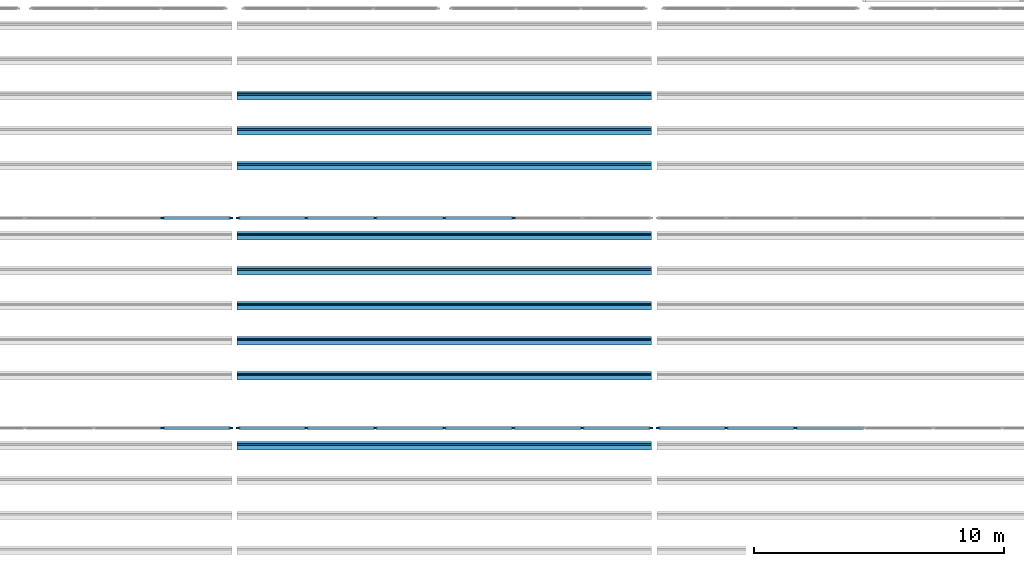
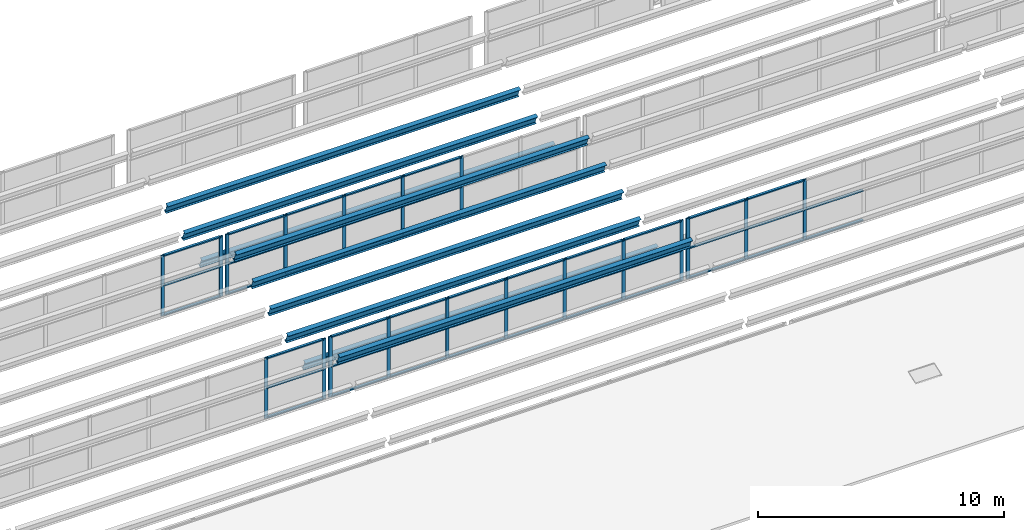
# One storey, part 21 of 116: 72 members, 5 elements without a shape of their own.
"""IFC4 building model written with IfcOpenShell, lengths in metres."""

from ifc_helpers import new_model, si_unit, direction, frame, origin, origin_2d, place, context, subcontext, project, spatial, rectangle, i_section, extrude, material, material_profile, profile_set, type_object, element, aggregate, save


model = new_model("IFC4")

# Units and contexts
model_context = context("Model", 3, precision=1e-05, world=origin(), true_north=direction((0.0, 1.0)))
body_context = subcontext(model_context, "Body", "Model", "MODEL_VIEW")
ifc_project = project(units=[si_unit("LENGTHUNIT", "METRE"), si_unit("AREAUNIT", "SQUARE_METRE"), si_unit("VOLUMEUNIT", "CUBIC_METRE"), si_unit("PLANEANGLEUNIT", "RADIAN"), si_unit("MASSUNIT", "GRAM", prefix="KILO")], contexts=[model_context])

# Site, building, storey
site_placement = place(None, origin())
site = spatial("IfcSite", under=ifc_project, at=site_placement, CompositionType="ELEMENT")
building_placement = place(site_placement, origin())
building = spatial("IfcBuilding", under=site, at=building_placement, Name="Fescue Hill Polytechnic", CompositionType="ELEMENT")
storey_placement = place(building_placement, frame((0.0, 0.0, 13.5)))
storey = spatial("IfcBuildingStorey", under=building, at=storey_placement, Name="L03", CompositionType="ELEMENT", Elevation=13.5)

# Curtain wall, members
ifc_material_1 = material(Name="Aluminium and glass", Category="aluminium")
curtain_wall_type = type_object("IfcCurtainWallType", Name="Sawtooth north glazing curtain wall", PredefinedType="NOTDEFINED", material=ifc_material_1)
curtain_wall_1_placement = place(storey_placement, origin())
curtain_wall_1 = element("IfcCurtainWall", 1, at=curtain_wall_1_placement, inside=storey, type_object=curtain_wall_type, Name="Sawtooth 2 north glazing bay 4", PredefinedType="NOTDEFINED")
ifc_material_2 = material(Name="Aluminium", Category="aluminium")
ifc_material_profile_1 = material_profile(ifc_material_2, rectangle(XDim=0.06005859375, YDim=0.159912109375, at=origin_2d()), Name="Curtain wall mullion 60x160")
ifc_profile_set_1 = profile_set([ifc_material_profile_1], Name="Aluminium")
member_type_1 = type_object("IfcMemberType", Name="Curtain wall mullion 60x160", PredefinedType="MULLION", material=ifc_profile_set_1)
member_1_placement = place(storey_placement, frame((64.320068359375, 33.60009765625, 0.0), z_axis=(0.0, 0.0, 1.0), x_axis=(0.0, 1.0, 0.0)))
member_1 = element("IfcMember", 2, at=member_1_placement, type_object=member_type_1, Name="CW11 mullion 6", PredefinedType="MULLION", context=body_context, shape_type="SweptSolid", body=[
    extrude(rectangle(XDim=0.06005859375, YDim=0.159912109375, at=origin_2d()), origin(), (0.0, 0.0, 1.0), 3.0),
])
member_2_placement = place(storey_placement, frame((67.050048828125, 33.60009765625, 0.0), z_axis=(0.0, 0.0, 1.0), x_axis=(0.0, 1.0, 0.0)))
member_2 = element("IfcMember", 3, at=member_2_placement, type_object=member_type_1, Name="CW11 mullion 7", PredefinedType="MULLION", context=body_context, shape_type="SweptSolid", body=[
    extrude(rectangle(XDim=0.06005859375, YDim=0.159912109375, at=origin_2d()), origin(), (0.0, 0.0, 1.0), 3.0),
])

curtain_wall_2_placement = place(storey_placement, origin())
curtain_wall_2 = element("IfcCurtainWall", 4, at=curtain_wall_2_placement, inside=storey, type_object=curtain_wall_type, Name="Sawtooth 2 north glazing bay 5", PredefinedType="NOTDEFINED")
member_3_placement = place(storey_placement, frame((67.35009765625, 33.60009765625, 0.0), z_axis=(0.0, 0.0, 1.0), x_axis=(0.0, 1.0, 0.0)))
member_3 = element("IfcMember", 5, at=member_3_placement, type_object=member_type_1, Name="CW12 mullion 1", PredefinedType="MULLION", context=body_context, shape_type="SweptSolid", body=[
    extrude(rectangle(XDim=0.06005859375, YDim=0.159912109375, at=origin_2d()), origin(), (0.0, 0.0, 1.0), 3.0),
])
member_4_placement = place(storey_placement, frame((70.080078125, 33.60009765625, 0.0), z_axis=(0.0, 0.0, 1.0), x_axis=(0.0, 1.0, 0.0)))
member_4 = element("IfcMember", 6, at=member_4_placement, type_object=member_type_1, Name="CW12 mullion 2", PredefinedType="MULLION", context=body_context, shape_type="SweptSolid", body=[
    extrude(rectangle(XDim=0.06005859375, YDim=0.159912109375, at=origin_2d()), origin(), (0.0, 0.0, 1.0), 3.0),
])
member_5_placement = place(storey_placement, frame((72.840087890625, 33.60009765625, 0.0), z_axis=(0.0, 0.0, 1.0), x_axis=(0.0, 1.0, 0.0)))
member_5 = element("IfcMember", 7, at=member_5_placement, type_object=member_type_1, Name="CW12 mullion 3", PredefinedType="MULLION", context=body_context, shape_type="SweptSolid", body=[
    extrude(rectangle(XDim=0.06005859375, YDim=0.159912109375, at=origin_2d()), origin(), (0.0, 0.0, 1.0), 3.0),
])
member_6_placement = place(storey_placement, frame((75.60009765625, 33.60009765625, 0.0), z_axis=(0.0, 0.0, 1.0), x_axis=(0.0, 1.0, 0.0)))
member_6 = element("IfcMember", 8, at=member_6_placement, type_object=member_type_1, Name="CW12 mullion 4", PredefinedType="MULLION", context=body_context, shape_type="SweptSolid", body=[
    extrude(rectangle(XDim=0.06005859375, YDim=0.159912109375, at=origin_2d()), origin(), (0.0, 0.0, 1.0), 3.0),
])
member_7_placement = place(storey_placement, frame((78.360107421875, 33.60009765625, 0.0), z_axis=(0.0, 0.0, 1.0), x_axis=(0.0, 1.0, 0.0)))
member_7 = element("IfcMember", 9, at=member_7_placement, type_object=member_type_1, Name="CW12 mullion 5", PredefinedType="MULLION", context=body_context, shape_type="SweptSolid", body=[
    extrude(rectangle(XDim=0.06005859375, YDim=0.159912109375, at=origin_2d()), origin(), (0.0, 0.0, 1.0), 3.0),
])
member_8_placement = place(storey_placement, frame((81.1201171875, 33.60009765625, 0.0), z_axis=(0.0, 0.0, 1.0), x_axis=(0.0, 1.0, 0.0)))
member_8 = element("IfcMember", 10, at=member_8_placement, type_object=member_type_1, Name="CW12 mullion 6", PredefinedType="MULLION", context=body_context, shape_type="SweptSolid", body=[
    extrude(rectangle(XDim=0.06005859375, YDim=0.159912109375, at=origin_2d()), origin(), (0.0, 0.0, 1.0), 3.0),
])
member_9_placement = place(storey_placement, frame((83.85009765625, 33.60009765625, 0.0), z_axis=(0.0, 0.0, 1.0), x_axis=(0.0, 1.0, 0.0)))
member_9 = element("IfcMember", 11, at=member_9_placement, type_object=member_type_1, Name="CW12 mullion 7", PredefinedType="MULLION", context=body_context, shape_type="SweptSolid", body=[
    extrude(rectangle(XDim=0.06005859375, YDim=0.159912109375, at=origin_2d()), origin(), (0.0, 0.0, 1.0), 3.0),
])

curtain_wall_3_placement = place(storey_placement, origin())
curtain_wall_3 = element("IfcCurtainWall", 12, at=curtain_wall_3_placement, inside=storey, type_object=curtain_wall_type, Name="Sawtooth 2 north glazing bay 6", PredefinedType="NOTDEFINED")
member_10_placement = place(storey_placement, frame((84.14990234375, 33.60009765625, 0.0), z_axis=(0.0, 0.0, 1.0), x_axis=(0.0, 1.0, 0.0)))
member_10 = element("IfcMember", 13, at=member_10_placement, type_object=member_type_1, Name="CW13 mullion 1", PredefinedType="MULLION", context=body_context, shape_type="SweptSolid", body=[
    extrude(rectangle(XDim=0.06005859375, YDim=0.159912109375, at=origin_2d()), origin(), (0.0, 0.0, 1.0), 3.0),
])
member_11_placement = place(storey_placement, frame((86.8798828125, 33.60009765625, 0.0), z_axis=(0.0, 0.0, 1.0), x_axis=(0.0, 1.0, 0.0)))
member_11 = element("IfcMember", 14, at=member_11_placement, type_object=member_type_1, Name="CW13 mullion 2", PredefinedType="MULLION", context=body_context, shape_type="SweptSolid", body=[
    extrude(rectangle(XDim=0.06005859375, YDim=0.159912109375, at=origin_2d()), origin(), (0.0, 0.0, 1.0), 3.0),
])
member_12_placement = place(storey_placement, frame((89.639892578125, 33.60009765625, 0.0), z_axis=(0.0, 0.0, 1.0), x_axis=(0.0, 1.0, 0.0)))
member_12 = element("IfcMember", 15, at=member_12_placement, type_object=member_type_1, Name="CW13 mullion 3", PredefinedType="MULLION", context=body_context, shape_type="SweptSolid", body=[
    extrude(rectangle(XDim=0.06005859375, YDim=0.159912109375, at=origin_2d()), origin(), (0.0, 0.0, 1.0), 3.0),
])

curtain_wall_4_placement = place(storey_placement, origin())
curtain_wall_4 = element("IfcCurtainWall", 16, at=curtain_wall_4_placement, inside=storey, type_object=curtain_wall_type, Name="Sawtooth 3 north glazing bay 4", PredefinedType="NOTDEFINED")
member_13_placement = place(storey_placement, frame((64.320068359375, 42.0, 0.0), z_axis=(0.0, 0.0, 1.0), x_axis=(0.0, 1.0, 0.0)))
member_13 = element("IfcMember", 17, at=member_13_placement, type_object=member_type_1, Name="CW18 mullion 6", PredefinedType="MULLION", context=body_context, shape_type="SweptSolid", body=[
    extrude(rectangle(XDim=0.06005859375, YDim=0.159912109375, at=origin_2d()), origin(), (0.0, 0.0, 1.0), 3.0),
])
member_14_placement = place(storey_placement, frame((67.050048828125, 42.0, 0.0), z_axis=(0.0, 0.0, 1.0), x_axis=(0.0, 1.0, 0.0)))
member_14 = element("IfcMember", 18, at=member_14_placement, type_object=member_type_1, Name="CW18 mullion 7", PredefinedType="MULLION", context=body_context, shape_type="SweptSolid", body=[
    extrude(rectangle(XDim=0.06005859375, YDim=0.159912109375, at=origin_2d()), origin(), (0.0, 0.0, 1.0), 3.0),
])

curtain_wall_5_placement = place(storey_placement, origin())
curtain_wall_5 = element("IfcCurtainWall", 19, at=curtain_wall_5_placement, inside=storey, type_object=curtain_wall_type, Name="Sawtooth 3 north glazing bay 5", PredefinedType="NOTDEFINED")
member_15_placement = place(storey_placement, frame((67.35009765625, 42.0, 0.0), z_axis=(0.0, 0.0, 1.0), x_axis=(0.0, 1.0, 0.0)))
member_15 = element("IfcMember", 20, at=member_15_placement, type_object=member_type_1, Name="CW19 mullion 1", PredefinedType="MULLION", context=body_context, shape_type="SweptSolid", body=[
    extrude(rectangle(XDim=0.06005859375, YDim=0.159912109375, at=origin_2d()), origin(), (0.0, 0.0, 1.0), 3.0),
])
member_16_placement = place(storey_placement, frame((70.080078125, 42.0, 0.0), z_axis=(0.0, 0.0, 1.0), x_axis=(0.0, 1.0, 0.0)))
member_16 = element("IfcMember", 21, at=member_16_placement, type_object=member_type_1, Name="CW19 mullion 2", PredefinedType="MULLION", context=body_context, shape_type="SweptSolid", body=[
    extrude(rectangle(XDim=0.06005859375, YDim=0.159912109375, at=origin_2d()), origin(), (0.0, 0.0, 1.0), 3.0),
])
member_17_placement = place(storey_placement, frame((72.840087890625, 42.0, 0.0), z_axis=(0.0, 0.0, 1.0), x_axis=(0.0, 1.0, 0.0)))
member_17 = element("IfcMember", 22, at=member_17_placement, type_object=member_type_1, Name="CW19 mullion 3", PredefinedType="MULLION", context=body_context, shape_type="SweptSolid", body=[
    extrude(rectangle(XDim=0.06005859375, YDim=0.159912109375, at=origin_2d()), origin(), (0.0, 0.0, 1.0), 3.0),
])
member_18_placement = place(storey_placement, frame((75.60009765625, 42.0, 0.0), z_axis=(0.0, 0.0, 1.0), x_axis=(0.0, 1.0, 0.0)))
member_18 = element("IfcMember", 23, at=member_18_placement, type_object=member_type_1, Name="CW19 mullion 4", PredefinedType="MULLION", context=body_context, shape_type="SweptSolid", body=[
    extrude(rectangle(XDim=0.06005859375, YDim=0.159912109375, at=origin_2d()), origin(), (0.0, 0.0, 1.0), 3.0),
])
member_19_placement = place(storey_placement, frame((78.360107421875, 42.0, 0.0), z_axis=(0.0, 0.0, 1.0), x_axis=(0.0, 1.0, 0.0)))
member_19 = element("IfcMember", 24, at=member_19_placement, type_object=member_type_1, Name="CW19 mullion 5", PredefinedType="MULLION", context=body_context, shape_type="SweptSolid", body=[
    extrude(rectangle(XDim=0.06005859375, YDim=0.159912109375, at=origin_2d()), origin(), (0.0, 0.0, 1.0), 3.0),
])

# Member
ifc_material_profile_2 = material_profile(ifc_material_2, rectangle(XDim=0.1201171875, YDim=0.06005859375, at=origin_2d()), Name="Curtain wall transom 60x120")
ifc_profile_set_2 = profile_set([ifc_material_profile_2], Name="Aluminium")
member_type_2 = type_object("IfcMemberType", Name="Curtain wall transom 60x120", PredefinedType="USERDEFINED", material=ifc_profile_set_2)
member_20_placement = place(storey_placement, frame((64.35009765625, 33.60009765625, 0.030029296875), z_axis=(1.0, 0.0, 0.0), x_axis=(0.0, 1.0, 0.0)))
member_20 = element("IfcMember", 25, at=member_20_placement, type_object=member_type_2, Name="CW11 transom 6.1", ObjectType="TRANSOM", PredefinedType="USERDEFINED", context=body_context, shape_type="SweptSolid", body=[
    extrude(rectangle(XDim=0.1201171875, YDim=0.06005859375, at=origin_2d()), origin(), (0.0, 0.0, 1.0), 2.669921875),
])

member_21_placement = place(storey_placement, frame((64.35009765625, 33.60009765625, 1.5), z_axis=(1.0, 0.0, 0.0), x_axis=(0.0, 1.0, 0.0)))
member_21 = element("IfcMember", 26, at=member_21_placement, type_object=member_type_2, Name="CW11 transom 6.2", ObjectType="TRANSOM", PredefinedType="USERDEFINED", context=body_context, shape_type="SweptSolid", body=[
    extrude(rectangle(XDim=0.1201171875, YDim=0.06005859375, at=origin_2d()), origin(), (0.0, 0.0, 1.0), 2.669921875),
])

member_22_placement = place(storey_placement, frame((64.35009765625, 33.60009765625, 2.969970703125), z_axis=(1.0, 0.0, 0.0), x_axis=(0.0, 1.0, 0.0)))
member_22 = element("IfcMember", 27, at=member_22_placement, type_object=member_type_2, Name="CW11 transom 6.3", ObjectType="TRANSOM", PredefinedType="USERDEFINED", context=body_context, shape_type="SweptSolid", body=[
    extrude(rectangle(XDim=0.1201171875, YDim=0.06005859375, at=origin_2d()), origin(), (0.0, 0.0, 1.0), 2.669921875),
])

aggregate(curtain_wall_1, [member_1, member_2, member_20, member_21, member_22])

member_23_placement = place(storey_placement, frame((67.3798828125, 33.60009765625, 0.030029296875), z_axis=(1.0, 0.0, 0.0), x_axis=(0.0, 1.0, 0.0)))
member_23 = element("IfcMember", 28, at=member_23_placement, type_object=member_type_2, Name="CW12 transom 1.1", ObjectType="TRANSOM", PredefinedType="USERDEFINED", context=body_context, shape_type="SweptSolid", body=[
    extrude(rectangle(XDim=0.1201171875, YDim=0.06005859375, at=origin_2d()), origin(), (0.0, 0.0, 1.0), 2.670166015625),
])

member_24_placement = place(storey_placement, frame((67.3798828125, 33.60009765625, 1.5), z_axis=(1.0, 0.0, 0.0), x_axis=(0.0, 1.0, 0.0)))
member_24 = element("IfcMember", 29, at=member_24_placement, type_object=member_type_2, Name="CW12 transom 1.2", ObjectType="TRANSOM", PredefinedType="USERDEFINED", context=body_context, shape_type="SweptSolid", body=[
    extrude(rectangle(XDim=0.1201171875, YDim=0.06005859375, at=origin_2d()), origin(), (0.0, 0.0, 1.0), 2.670166015625),
])

member_25_placement = place(storey_placement, frame((67.3798828125, 33.60009765625, 2.969970703125), z_axis=(1.0, 0.0, 0.0), x_axis=(0.0, 1.0, 0.0)))
member_25 = element("IfcMember", 30, at=member_25_placement, type_object=member_type_2, Name="CW12 transom 1.3", ObjectType="TRANSOM", PredefinedType="USERDEFINED", context=body_context, shape_type="SweptSolid", body=[
    extrude(rectangle(XDim=0.1201171875, YDim=0.06005859375, at=origin_2d()), origin(), (0.0, 0.0, 1.0), 2.670166015625),
])

member_26_placement = place(storey_placement, frame((70.110107421875, 33.60009765625, 0.030029296875), z_axis=(1.0, 0.0, 0.0), x_axis=(0.0, 1.0, 0.0)))
member_26 = element("IfcMember", 31, at=member_26_placement, type_object=member_type_2, Name="CW12 transom 2.1", ObjectType="TRANSOM", PredefinedType="USERDEFINED", context=body_context, shape_type="SweptSolid", body=[
    extrude(rectangle(XDim=0.1201171875, YDim=0.06005859375, at=origin_2d()), origin(), (0.0, 0.0, 1.0), 2.699951171875),
])

member_27_placement = place(storey_placement, frame((70.110107421875, 33.60009765625, 1.5), z_axis=(1.0, 0.0, 0.0), x_axis=(0.0, 1.0, 0.0)))
member_27 = element("IfcMember", 32, at=member_27_placement, type_object=member_type_2, Name="CW12 transom 2.2", ObjectType="TRANSOM", PredefinedType="USERDEFINED", context=body_context, shape_type="SweptSolid", body=[
    extrude(rectangle(XDim=0.1201171875, YDim=0.06005859375, at=origin_2d()), origin(), (0.0, 0.0, 1.0), 2.699951171875),
])

member_28_placement = place(storey_placement, frame((70.110107421875, 33.60009765625, 2.969970703125), z_axis=(1.0, 0.0, 0.0), x_axis=(0.0, 1.0, 0.0)))
member_28 = element("IfcMember", 33, at=member_28_placement, type_object=member_type_2, Name="CW12 transom 2.3", ObjectType="TRANSOM", PredefinedType="USERDEFINED", context=body_context, shape_type="SweptSolid", body=[
    extrude(rectangle(XDim=0.1201171875, YDim=0.06005859375, at=origin_2d()), origin(), (0.0, 0.0, 1.0), 2.699951171875),
])

member_29_placement = place(storey_placement, frame((72.8701171875, 33.60009765625, 0.030029296875), z_axis=(1.0, 0.0, 0.0), x_axis=(0.0, 1.0, 0.0)))
member_29 = element("IfcMember", 34, at=member_29_placement, type_object=member_type_2, Name="CW12 transom 3.1", ObjectType="TRANSOM", PredefinedType="USERDEFINED", context=body_context, shape_type="SweptSolid", body=[
    extrude(rectangle(XDim=0.1201171875, YDim=0.06005859375, at=origin_2d()), origin(), (0.0, 0.0, 1.0), 2.699951171875),
])

member_30_placement = place(storey_placement, frame((72.8701171875, 33.60009765625, 1.5), z_axis=(1.0, 0.0, 0.0), x_axis=(0.0, 1.0, 0.0)))
member_30 = element("IfcMember", 35, at=member_30_placement, type_object=member_type_2, Name="CW12 transom 3.2", ObjectType="TRANSOM", PredefinedType="USERDEFINED", context=body_context, shape_type="SweptSolid", body=[
    extrude(rectangle(XDim=0.1201171875, YDim=0.06005859375, at=origin_2d()), origin(), (0.0, 0.0, 1.0), 2.699951171875),
])

member_31_placement = place(storey_placement, frame((72.8701171875, 33.60009765625, 2.969970703125), z_axis=(1.0, 0.0, 0.0), x_axis=(0.0, 1.0, 0.0)))
member_31 = element("IfcMember", 36, at=member_31_placement, type_object=member_type_2, Name="CW12 transom 3.3", ObjectType="TRANSOM", PredefinedType="USERDEFINED", context=body_context, shape_type="SweptSolid", body=[
    extrude(rectangle(XDim=0.1201171875, YDim=0.06005859375, at=origin_2d()), origin(), (0.0, 0.0, 1.0), 2.699951171875),
])

member_32_placement = place(storey_placement, frame((75.6298828125, 33.60009765625, 0.030029296875), z_axis=(1.0, 0.0, 0.0), x_axis=(0.0, 1.0, 0.0)))
member_32 = element("IfcMember", 37, at=member_32_placement, type_object=member_type_2, Name="CW12 transom 4.1", ObjectType="TRANSOM", PredefinedType="USERDEFINED", context=body_context, shape_type="SweptSolid", body=[
    extrude(rectangle(XDim=0.1201171875, YDim=0.06005859375, at=origin_2d()), origin(), (0.0, 0.0, 1.0), 2.7001953125),
])

member_33_placement = place(storey_placement, frame((75.6298828125, 33.60009765625, 1.5), z_axis=(1.0, 0.0, 0.0), x_axis=(0.0, 1.0, 0.0)))
member_33 = element("IfcMember", 38, at=member_33_placement, type_object=member_type_2, Name="CW12 transom 4.2", ObjectType="TRANSOM", PredefinedType="USERDEFINED", context=body_context, shape_type="SweptSolid", body=[
    extrude(rectangle(XDim=0.1201171875, YDim=0.06005859375, at=origin_2d()), origin(), (0.0, 0.0, 1.0), 2.7001953125),
])

member_34_placement = place(storey_placement, frame((75.6298828125, 33.60009765625, 2.969970703125), z_axis=(1.0, 0.0, 0.0), x_axis=(0.0, 1.0, 0.0)))
member_34 = element("IfcMember", 39, at=member_34_placement, type_object=member_type_2, Name="CW12 transom 4.3", ObjectType="TRANSOM", PredefinedType="USERDEFINED", context=body_context, shape_type="SweptSolid", body=[
    extrude(rectangle(XDim=0.1201171875, YDim=0.06005859375, at=origin_2d()), origin(), (0.0, 0.0, 1.0), 2.7001953125),
])

member_35_placement = place(storey_placement, frame((78.389892578125, 33.60009765625, 0.030029296875), z_axis=(1.0, 0.0, 0.0), x_axis=(0.0, 1.0, 0.0)))
member_35 = element("IfcMember", 40, at=member_35_placement, type_object=member_type_2, Name="CW12 transom 5.1", ObjectType="TRANSOM", PredefinedType="USERDEFINED", context=body_context, shape_type="SweptSolid", body=[
    extrude(rectangle(XDim=0.1201171875, YDim=0.06005859375, at=origin_2d()), origin(), (0.0, 0.0, 1.0), 2.7001953125),
])

member_36_placement = place(storey_placement, frame((78.389892578125, 33.60009765625, 1.5), z_axis=(1.0, 0.0, 0.0), x_axis=(0.0, 1.0, 0.0)))
member_36 = element("IfcMember", 41, at=member_36_placement, type_object=member_type_2, Name="CW12 transom 5.2", ObjectType="TRANSOM", PredefinedType="USERDEFINED", context=body_context, shape_type="SweptSolid", body=[
    extrude(rectangle(XDim=0.1201171875, YDim=0.06005859375, at=origin_2d()), origin(), (0.0, 0.0, 1.0), 2.7001953125),
])

member_37_placement = place(storey_placement, frame((78.389892578125, 33.60009765625, 2.969970703125), z_axis=(1.0, 0.0, 0.0), x_axis=(0.0, 1.0, 0.0)))
member_37 = element("IfcMember", 42, at=member_37_placement, type_object=member_type_2, Name="CW12 transom 5.3", ObjectType="TRANSOM", PredefinedType="USERDEFINED", context=body_context, shape_type="SweptSolid", body=[
    extrude(rectangle(XDim=0.1201171875, YDim=0.06005859375, at=origin_2d()), origin(), (0.0, 0.0, 1.0), 2.7001953125),
])

member_38_placement = place(storey_placement, frame((81.14990234375, 33.60009765625, 0.030029296875), z_axis=(1.0, 0.0, 0.0), x_axis=(0.0, 1.0, 0.0)))
member_38 = element("IfcMember", 43, at=member_38_placement, type_object=member_type_2, Name="CW12 transom 6.1", ObjectType="TRANSOM", PredefinedType="USERDEFINED", context=body_context, shape_type="SweptSolid", body=[
    extrude(rectangle(XDim=0.1201171875, YDim=0.06005859375, at=origin_2d()), origin(), (0.0, 0.0, 1.0), 2.670166015625),
])

member_39_placement = place(storey_placement, frame((81.14990234375, 33.60009765625, 1.5), z_axis=(1.0, 0.0, 0.0), x_axis=(0.0, 1.0, 0.0)))
member_39 = element("IfcMember", 44, at=member_39_placement, type_object=member_type_2, Name="CW12 transom 6.2", ObjectType="TRANSOM", PredefinedType="USERDEFINED", context=body_context, shape_type="SweptSolid", body=[
    extrude(rectangle(XDim=0.1201171875, YDim=0.06005859375, at=origin_2d()), origin(), (0.0, 0.0, 1.0), 2.670166015625),
])

member_40_placement = place(storey_placement, frame((81.14990234375, 33.60009765625, 2.969970703125), z_axis=(1.0, 0.0, 0.0), x_axis=(0.0, 1.0, 0.0)))
member_40 = element("IfcMember", 45, at=member_40_placement, type_object=member_type_2, Name="CW12 transom 6.3", ObjectType="TRANSOM", PredefinedType="USERDEFINED", context=body_context, shape_type="SweptSolid", body=[
    extrude(rectangle(XDim=0.1201171875, YDim=0.06005859375, at=origin_2d()), origin(), (0.0, 0.0, 1.0), 2.670166015625),
])

aggregate(curtain_wall_2, [member_3, member_4, member_5, member_6, member_7, member_8, member_9, member_23, member_24, member_25, member_26, member_27, member_28, member_29, member_30, member_31, member_32, member_33, member_34, member_35, member_36, member_37, member_38, member_39, member_40])

member_41_placement = place(storey_placement, frame((84.179931640625, 33.60009765625, 0.030029296875), z_axis=(1.0, 0.0, 0.0), x_axis=(0.0, 1.0, 0.0)))
member_41 = element("IfcMember", 46, at=member_41_placement, type_object=member_type_2, Name="CW13 transom 1.1", ObjectType="TRANSOM", PredefinedType="USERDEFINED", context=body_context, shape_type="SweptSolid", body=[
    extrude(rectangle(XDim=0.1201171875, YDim=0.06005859375, at=origin_2d()), origin(), (0.0, 0.0, 1.0), 2.670166015625),
])

member_42_placement = place(storey_placement, frame((84.179931640625, 33.60009765625, 1.5), z_axis=(1.0, 0.0, 0.0), x_axis=(0.0, 1.0, 0.0)))
member_42 = element("IfcMember", 47, at=member_42_placement, type_object=member_type_2, Name="CW13 transom 1.2", ObjectType="TRANSOM", PredefinedType="USERDEFINED", context=body_context, shape_type="SweptSolid", body=[
    extrude(rectangle(XDim=0.1201171875, YDim=0.06005859375, at=origin_2d()), origin(), (0.0, 0.0, 1.0), 2.670166015625),
])

member_43_placement = place(storey_placement, frame((84.179931640625, 33.60009765625, 2.969970703125), z_axis=(1.0, 0.0, 0.0), x_axis=(0.0, 1.0, 0.0)))
member_43 = element("IfcMember", 48, at=member_43_placement, type_object=member_type_2, Name="CW13 transom 1.3", ObjectType="TRANSOM", PredefinedType="USERDEFINED", context=body_context, shape_type="SweptSolid", body=[
    extrude(rectangle(XDim=0.1201171875, YDim=0.06005859375, at=origin_2d()), origin(), (0.0, 0.0, 1.0), 2.670166015625),
])

member_44_placement = place(storey_placement, frame((86.909912109375, 33.60009765625, 0.030029296875), z_axis=(1.0, 0.0, 0.0), x_axis=(0.0, 1.0, 0.0)))
member_44 = element("IfcMember", 49, at=member_44_placement, type_object=member_type_2, Name="CW13 transom 2.1", ObjectType="TRANSOM", PredefinedType="USERDEFINED", context=body_context, shape_type="SweptSolid", body=[
    extrude(rectangle(XDim=0.1201171875, YDim=0.06005859375, at=origin_2d()), origin(), (0.0, 0.0, 1.0), 2.7001953125),
])

member_45_placement = place(storey_placement, frame((86.909912109375, 33.60009765625, 1.5), z_axis=(1.0, 0.0, 0.0), x_axis=(0.0, 1.0, 0.0)))
member_45 = element("IfcMember", 50, at=member_45_placement, type_object=member_type_2, Name="CW13 transom 2.2", ObjectType="TRANSOM", PredefinedType="USERDEFINED", context=body_context, shape_type="SweptSolid", body=[
    extrude(rectangle(XDim=0.1201171875, YDim=0.06005859375, at=origin_2d()), origin(), (0.0, 0.0, 1.0), 2.7001953125),
])

member_46_placement = place(storey_placement, frame((86.909912109375, 33.60009765625, 2.969970703125), z_axis=(1.0, 0.0, 0.0), x_axis=(0.0, 1.0, 0.0)))
member_46 = element("IfcMember", 51, at=member_46_placement, type_object=member_type_2, Name="CW13 transom 2.3", ObjectType="TRANSOM", PredefinedType="USERDEFINED", context=body_context, shape_type="SweptSolid", body=[
    extrude(rectangle(XDim=0.1201171875, YDim=0.06005859375, at=origin_2d()), origin(), (0.0, 0.0, 1.0), 2.7001953125),
])

member_47_placement = place(storey_placement, frame((89.669921875, 33.60009765625, 0.030029296875), z_axis=(1.0, 0.0, 0.0), x_axis=(0.0, 1.0, 0.0)))
member_47 = element("IfcMember", 52, at=member_47_placement, type_object=member_type_2, Name="CW13 transom 3.1", ObjectType="TRANSOM", PredefinedType="USERDEFINED", context=body_context, shape_type="SweptSolid", body=[
    extrude(rectangle(XDim=0.1201171875, YDim=0.06005859375, at=origin_2d()), origin(), (0.0, 0.0, 1.0), 2.7001953125),
])

member_48_placement = place(storey_placement, frame((89.669921875, 33.60009765625, 1.5), z_axis=(1.0, 0.0, 0.0), x_axis=(0.0, 1.0, 0.0)))
member_48 = element("IfcMember", 53, at=member_48_placement, type_object=member_type_2, Name="CW13 transom 3.2", ObjectType="TRANSOM", PredefinedType="USERDEFINED", context=body_context, shape_type="SweptSolid", body=[
    extrude(rectangle(XDim=0.1201171875, YDim=0.06005859375, at=origin_2d()), origin(), (0.0, 0.0, 1.0), 2.7001953125),
])

aggregate(curtain_wall_3, [member_10, member_11, member_12, member_41, member_42, member_43, member_44, member_45, member_46, member_47, member_48])

member_49_placement = place(storey_placement, frame((64.35009765625, 42.0, 0.030029296875), z_axis=(1.0, 0.0, 0.0), x_axis=(0.0, 1.0, 0.0)))
member_49 = element("IfcMember", 54, at=member_49_placement, type_object=member_type_2, Name="CW18 transom 6.1", ObjectType="TRANSOM", PredefinedType="USERDEFINED", context=body_context, shape_type="SweptSolid", body=[
    extrude(rectangle(XDim=0.1201171875, YDim=0.06005859375, at=origin_2d()), origin(), (0.0, 0.0, 1.0), 2.669921875),
])

member_50_placement = place(storey_placement, frame((64.35009765625, 42.0, 1.5), z_axis=(1.0, 0.0, 0.0), x_axis=(0.0, 1.0, 0.0)))
member_50 = element("IfcMember", 55, at=member_50_placement, type_object=member_type_2, Name="CW18 transom 6.2", ObjectType="TRANSOM", PredefinedType="USERDEFINED", context=body_context, shape_type="SweptSolid", body=[
    extrude(rectangle(XDim=0.1201171875, YDim=0.06005859375, at=origin_2d()), origin(), (0.0, 0.0, 1.0), 2.669921875),
])

member_51_placement = place(storey_placement, frame((64.35009765625, 42.0, 2.969970703125), z_axis=(1.0, 0.0, 0.0), x_axis=(0.0, 1.0, 0.0)))
member_51 = element("IfcMember", 56, at=member_51_placement, type_object=member_type_2, Name="CW18 transom 6.3", ObjectType="TRANSOM", PredefinedType="USERDEFINED", context=body_context, shape_type="SweptSolid", body=[
    extrude(rectangle(XDim=0.1201171875, YDim=0.06005859375, at=origin_2d()), origin(), (0.0, 0.0, 1.0), 2.669921875),
])

aggregate(curtain_wall_4, [member_13, member_14, member_49, member_50, member_51])

member_52_placement = place(storey_placement, frame((67.3798828125, 42.0, 0.030029296875), z_axis=(1.0, 0.0, 0.0), x_axis=(0.0, 1.0, 0.0)))
member_52 = element("IfcMember", 57, at=member_52_placement, type_object=member_type_2, Name="CW19 transom 1.1", ObjectType="TRANSOM", PredefinedType="USERDEFINED", context=body_context, shape_type="SweptSolid", body=[
    extrude(rectangle(XDim=0.1201171875, YDim=0.06005859375, at=origin_2d()), origin(), (0.0, 0.0, 1.0), 2.670166015625),
])

member_53_placement = place(storey_placement, frame((67.3798828125, 42.0, 1.5), z_axis=(1.0, 0.0, 0.0), x_axis=(0.0, 1.0, 0.0)))
member_53 = element("IfcMember", 58, at=member_53_placement, type_object=member_type_2, Name="CW19 transom 1.2", ObjectType="TRANSOM", PredefinedType="USERDEFINED", context=body_context, shape_type="SweptSolid", body=[
    extrude(rectangle(XDim=0.1201171875, YDim=0.06005859375, at=origin_2d()), origin(), (0.0, 0.0, 1.0), 2.670166015625),
])

member_54_placement = place(storey_placement, frame((67.3798828125, 42.0, 2.969970703125), z_axis=(1.0, 0.0, 0.0), x_axis=(0.0, 1.0, 0.0)))
member_54 = element("IfcMember", 59, at=member_54_placement, type_object=member_type_2, Name="CW19 transom 1.3", ObjectType="TRANSOM", PredefinedType="USERDEFINED", context=body_context, shape_type="SweptSolid", body=[
    extrude(rectangle(XDim=0.1201171875, YDim=0.06005859375, at=origin_2d()), origin(), (0.0, 0.0, 1.0), 2.670166015625),
])

member_55_placement = place(storey_placement, frame((70.110107421875, 42.0, 0.030029296875), z_axis=(1.0, 0.0, 0.0), x_axis=(0.0, 1.0, 0.0)))
member_55 = element("IfcMember", 60, at=member_55_placement, type_object=member_type_2, Name="CW19 transom 2.1", ObjectType="TRANSOM", PredefinedType="USERDEFINED", context=body_context, shape_type="SweptSolid", body=[
    extrude(rectangle(XDim=0.1201171875, YDim=0.06005859375, at=origin_2d()), origin(), (0.0, 0.0, 1.0), 2.699951171875),
])

member_56_placement = place(storey_placement, frame((70.110107421875, 42.0, 1.5), z_axis=(1.0, 0.0, 0.0), x_axis=(0.0, 1.0, 0.0)))
member_56 = element("IfcMember", 61, at=member_56_placement, type_object=member_type_2, Name="CW19 transom 2.2", ObjectType="TRANSOM", PredefinedType="USERDEFINED", context=body_context, shape_type="SweptSolid", body=[
    extrude(rectangle(XDim=0.1201171875, YDim=0.06005859375, at=origin_2d()), origin(), (0.0, 0.0, 1.0), 2.699951171875),
])

member_57_placement = place(storey_placement, frame((70.110107421875, 42.0, 2.969970703125), z_axis=(1.0, 0.0, 0.0), x_axis=(0.0, 1.0, 0.0)))
member_57 = element("IfcMember", 62, at=member_57_placement, type_object=member_type_2, Name="CW19 transom 2.3", ObjectType="TRANSOM", PredefinedType="USERDEFINED", context=body_context, shape_type="SweptSolid", body=[
    extrude(rectangle(XDim=0.1201171875, YDim=0.06005859375, at=origin_2d()), origin(), (0.0, 0.0, 1.0), 2.699951171875),
])

member_58_placement = place(storey_placement, frame((72.8701171875, 42.0, 0.030029296875), z_axis=(1.0, 0.0, 0.0), x_axis=(0.0, 1.0, 0.0)))
member_58 = element("IfcMember", 63, at=member_58_placement, type_object=member_type_2, Name="CW19 transom 3.1", ObjectType="TRANSOM", PredefinedType="USERDEFINED", context=body_context, shape_type="SweptSolid", body=[
    extrude(rectangle(XDim=0.1201171875, YDim=0.06005859375, at=origin_2d()), origin(), (0.0, 0.0, 1.0), 2.699951171875),
])

member_59_placement = place(storey_placement, frame((72.8701171875, 42.0, 1.5), z_axis=(1.0, 0.0, 0.0), x_axis=(0.0, 1.0, 0.0)))
member_59 = element("IfcMember", 64, at=member_59_placement, type_object=member_type_2, Name="CW19 transom 3.2", ObjectType="TRANSOM", PredefinedType="USERDEFINED", context=body_context, shape_type="SweptSolid", body=[
    extrude(rectangle(XDim=0.1201171875, YDim=0.06005859375, at=origin_2d()), origin(), (0.0, 0.0, 1.0), 2.699951171875),
])

member_60_placement = place(storey_placement, frame((72.8701171875, 42.0, 2.969970703125), z_axis=(1.0, 0.0, 0.0), x_axis=(0.0, 1.0, 0.0)))
member_60 = element("IfcMember", 65, at=member_60_placement, type_object=member_type_2, Name="CW19 transom 3.3", ObjectType="TRANSOM", PredefinedType="USERDEFINED", context=body_context, shape_type="SweptSolid", body=[
    extrude(rectangle(XDim=0.1201171875, YDim=0.06005859375, at=origin_2d()), origin(), (0.0, 0.0, 1.0), 2.699951171875),
])

member_61_placement = place(storey_placement, frame((75.6298828125, 42.0, 0.030029296875), z_axis=(1.0, 0.0, 0.0), x_axis=(0.0, 1.0, 0.0)))
member_61 = element("IfcMember", 66, at=member_61_placement, type_object=member_type_2, Name="CW19 transom 4.1", ObjectType="TRANSOM", PredefinedType="USERDEFINED", context=body_context, shape_type="SweptSolid", body=[
    extrude(rectangle(XDim=0.1201171875, YDim=0.06005859375, at=origin_2d()), origin(), (0.0, 0.0, 1.0), 2.7001953125),
])

member_62_placement = place(storey_placement, frame((75.6298828125, 42.0, 1.5), z_axis=(1.0, 0.0, 0.0), x_axis=(0.0, 1.0, 0.0)))
member_62 = element("IfcMember", 67, at=member_62_placement, type_object=member_type_2, Name="CW19 transom 4.2", ObjectType="TRANSOM", PredefinedType="USERDEFINED", context=body_context, shape_type="SweptSolid", body=[
    extrude(rectangle(XDim=0.1201171875, YDim=0.06005859375, at=origin_2d()), origin(), (0.0, 0.0, 1.0), 2.7001953125),
])

member_63_placement = place(storey_placement, frame((75.6298828125, 42.0, 2.969970703125), z_axis=(1.0, 0.0, 0.0), x_axis=(0.0, 1.0, 0.0)))
member_63 = element("IfcMember", 68, at=member_63_placement, type_object=member_type_2, Name="CW19 transom 4.3", ObjectType="TRANSOM", PredefinedType="USERDEFINED", context=body_context, shape_type="SweptSolid", body=[
    extrude(rectangle(XDim=0.1201171875, YDim=0.06005859375, at=origin_2d()), origin(), (0.0, 0.0, 1.0), 2.7001953125),
])

aggregate(curtain_wall_5, [member_15, member_16, member_17, member_18, member_19, member_52, member_53, member_54, member_55, member_56, member_57, member_58, member_59, member_60, member_61, member_62, member_63])

# Members
ifc_material_3 = material(Name="Steel 350W (350 MPa)", Category="steel")
ifc_material_profile_3 = material_profile(ifc_material_3, i_section(OverallWidth=0.18994140625, OverallDepth=0.45703125, WebThickness=0.009033203125, FlangeThickness=0.014404296875, FilletRadius=0.0166015625, at=origin_2d()), Name="W460x74")
ifc_profile_set_3 = profile_set([ifc_material_profile_3], Name="Steel 350W (350 MPa)")
member_type_3 = type_object("IfcMemberType", Name="Tooth purlin W460x74", PredefinedType="PURLIN", material=ifc_profile_set_3)
for number, where, z_axis, x_axis, name in (
    (69, (67.304443359375, 35.699951171875, 0.294921875), (1.0, 0.0, 0.0), (0.0, 0.941741911595, 0.336336396997), "Tooth 3 purlin 2 bay 5"),
    (70, (67.304443359375, 37.10009765625, 0.794921875), (1.0, 0.0, 0.0), (0.0, 0.941741911595, 0.336336396997), "Tooth 3 purlin 3 bay 5"),
    (71, (67.304443359375, 38.5, 1.294921875), (1.0, 0.0, 0.0), (0.0, 0.941741911595, 0.336336396997), "Tooth 3 purlin 4 bay 5"),
    (72, (67.304443359375, 39.89990234375, 1.794921875), (1.0, 0.0, 0.0), (0.0, 0.941741911595, 0.336336396997), "Tooth 3 purlin 5 bay 5"),
    (73, (67.304443359375, 44.10009765625, 0.294921875), (1.0, 0.0, 0.0), (0.0, 0.941741911595, 0.336336396997), "Tooth 4 purlin 2 bay 5"),
    (74, (67.304443359375, 45.5, 0.794921875), (1.0, 0.0, 0.0), (0.0, 0.941741911595, 0.336336396997), "Tooth 4 purlin 3 bay 5"),
    (75, (67.304443359375, 46.89990234375, 1.294921875), (1.0, 0.0, 0.0), (0.0, 0.941741911595, 0.336336396997), "Tooth 4 purlin 4 bay 5"),
):
    element("IfcMember", number, at=place(storey_placement, frame(where, z_axis=z_axis, x_axis=x_axis)), inside=storey, type_object=member_type_3, Name=name, PredefinedType="PURLIN", context=body_context, shape_type="SweptSolid", body=[
        extrude(i_section(OverallWidth=0.18994140625, OverallDepth=0.45703125, WebThickness=0.009033203125, FlangeThickness=0.014404296875, FilletRadius=0.0166015625, at=origin_2d()), origin(), (0.0, 0.0, 1.0), 16.591064453125),
    ])
ifc_material_profile_4 = material_profile(ifc_material_3, i_section(OverallWidth=0.193115234375, OverallDepth=0.466064453125, WebThickness=0.011474609375, FlangeThickness=0.01904296875, FilletRadius=0.01708984375, at=origin_2d()), Name="W460x97")
ifc_profile_set_4 = profile_set([ifc_material_profile_4], Name="Steel 350W (350 MPa)")
member_type_4 = type_object("IfcMemberType", Name="Tooth ridge purlin W460x97", PredefinedType="PURLIN", material=ifc_profile_set_4)
for number, where, z_axis, x_axis, name in (
    (76, (67.304443359375, 32.89990234375, 2.290283203125), (1.0, 0.0, 0.0), (0.0, 0.941741911595, 0.336336396997), "Tooth 2 ridge purlin bay 5"),
    (77, (67.304443359375, 41.300048828125, 2.290283203125), (1.0, 0.0, 0.0), (0.0, 0.941741911595, 0.336336396997), "Tooth 3 ridge purlin bay 5"),
):
    element("IfcMember", number, at=place(storey_placement, frame(where, z_axis=z_axis, x_axis=x_axis)), inside=storey, type_object=member_type_4, Name=name, PredefinedType="PURLIN", context=body_context, shape_type="SweptSolid", body=[
        extrude(i_section(OverallWidth=0.193115234375, OverallDepth=0.466064453125, WebThickness=0.011474609375, FlangeThickness=0.01904296875, FilletRadius=0.01708984375, at=origin_2d()), origin(), (0.0, 0.0, 1.0), 16.591064453125),
    ])

save(model, "model.ifc")
